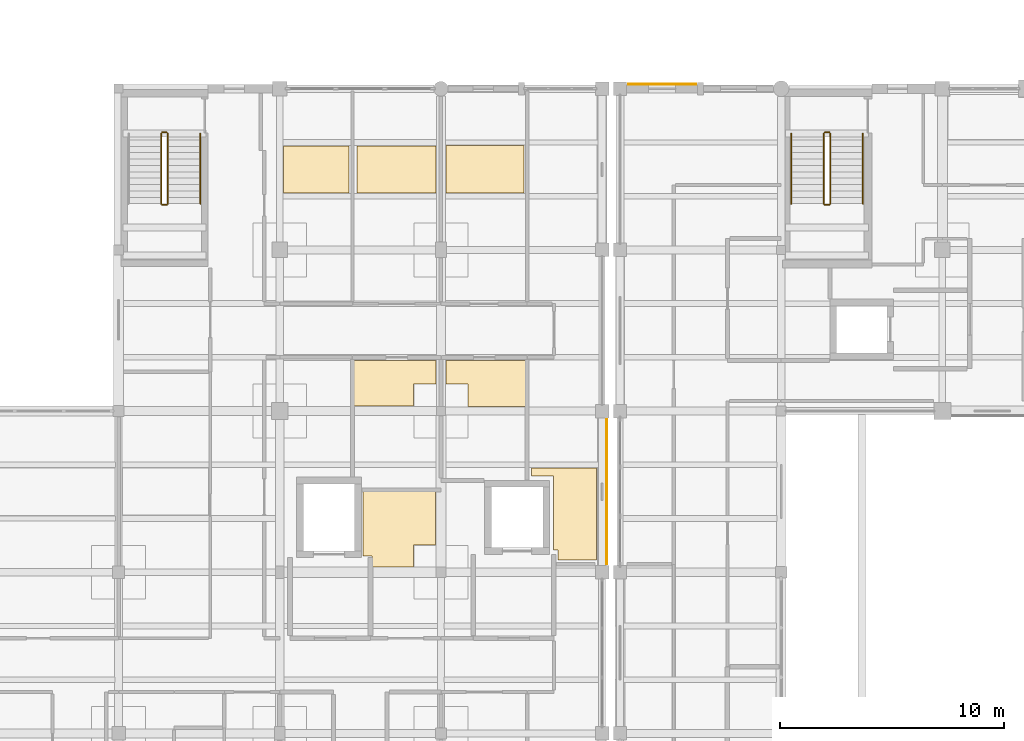
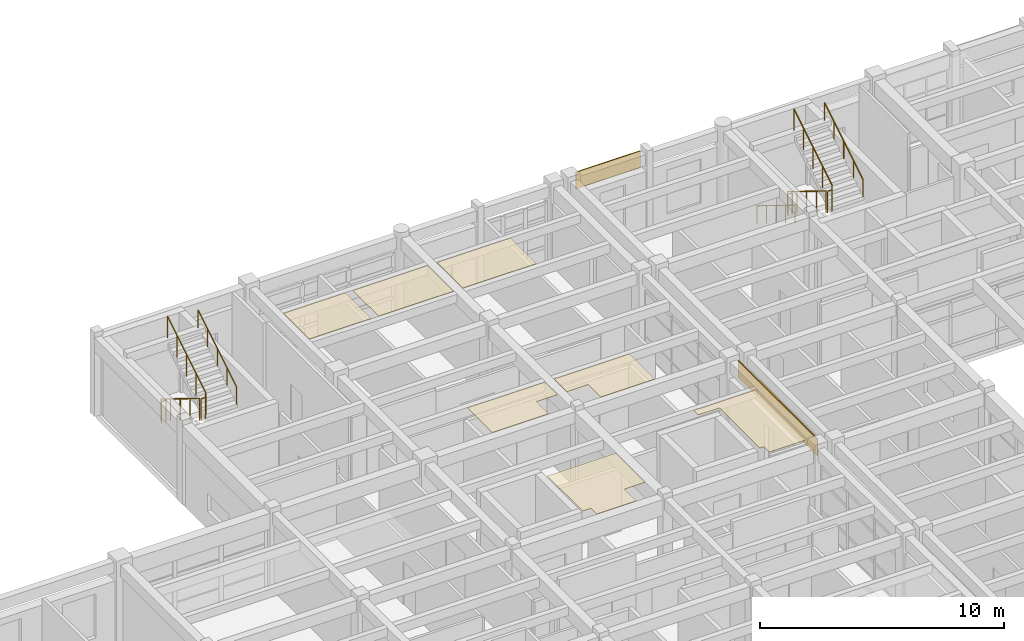
# One storey, part 104 of 110: 11 railings, 9 coverings.
"""IFC4 building model written with IfcOpenShell, lengths in metres."""

from ifc_helpers import new_model, si_unit, direction, frame, origin, origin_2d, place, context, subcontext, project, spatial, polyline, rectangle, circle, outline, extrude, material, layer, layer_set, type_object, element, save


model = new_model("IFC4")

# Units and contexts
model_context = context("Model", 3, precision=1e-05, world=origin(), true_north=direction((0.0, 1.0)))
body_context = subcontext(model_context, "Body", "Model", "MODEL_VIEW")
ifc_project = project(units=[si_unit("LENGTHUNIT", "METRE"), si_unit("AREAUNIT", "SQUARE_METRE"), si_unit("VOLUMEUNIT", "CUBIC_METRE"), si_unit("PLANEANGLEUNIT", "RADIAN"), si_unit("MASSUNIT", "GRAM", prefix="KILO")], contexts=[model_context])

# Site, building, storey
site_placement = place(None, origin())
site = spatial("IfcSite", under=ifc_project, at=site_placement, CompositionType="ELEMENT")
building_placement = place(site_placement, origin())
building = spatial("IfcBuilding", under=site, at=building_placement, Name="Steenspoor Specialist Clinic", CompositionType="ELEMENT")
storey_placement = place(building_placement, frame((0.0, 0.0, 4.800048828125)))
storey = spatial("IfcBuildingStorey", under=building, at=storey_placement, Name="L01", CompositionType="ELEMENT", Elevation=4.800048828125)

# Coverings
ifc_material_1 = material(Name="Washable acoustic mineral ceiling board", Category="gypsum")
ifc_layer_1 = layer(ifc_material_1, 0.02490234375)
ifc_layer_set_1 = layer_set([ifc_layer_1], Name="Washable acoustic mineral ceiling board")
covering_type_1 = type_object("IfcCoveringType", Name="COV-CEIL-ACOUSTIC", PredefinedType="CEILING", material=ifc_layer_set_1)
covering_1_placement = place(storey_placement, frame((0.0, 0.0, 3.925048828125)))
element("IfcCovering", 1, at=covering_1_placement, inside=storey, type_object=covering_type_1, Name="Acoustic Clinical Ceiling 115", PredefinedType="CEILING", context=body_context, shape_type="SweptSolid", body=[
    extrude(outline(polyline([(41.31494140625, 87.465087890625), (40.9150390625, 87.465087890625), (40.9150390625, 90.360107421875), (44.155029296875, 90.360107421875), (44.155029296875, 87.969970703125), (43.179931640625, 87.969970703125), (43.179931640625, 86.9951171875), (41.31494140625, 86.9951171875), (41.31494140625, 87.465087890625)])), origin(), (0.0, 0.0, 1.0), 0.02490234375),
])
covering_2_placement = place(storey_placement, frame((0.0, 0.0, 3.925048828125)))
element("IfcCovering", 2, at=covering_2_placement, inside=storey, type_object=covering_type_1, Name="Acoustic Clinical Ceiling 116", PredefinedType="CEILING", context=body_context, shape_type="SweptSolid", body=[
    extrude(outline(polyline([(48.43994140625, 91.409912109375), (51.340087890625, 91.409912109375), (51.340087890625, 87.2900390625), (49.639892578125, 87.2900390625), (49.639892578125, 87.739990234375), (49.43994140625, 87.739990234375), (49.43994140625, 91.0400390625), (48.43994140625, 91.0400390625), (48.43994140625, 91.409912109375)])), origin(), (0.0, 0.0, 1.0), 0.02490234375),
])
covering_3_placement = place(storey_placement, frame((0.0, 0.0, 3.925048828125)))
element("IfcCovering", 3, at=covering_3_placement, inside=storey, type_object=covering_type_1, Name="Acoustic Clinical Ceiling 117", PredefinedType="CEILING", context=body_context, shape_type="SweptSolid", body=[
    extrude(outline(polyline([(40.514892578125, 96.199951171875), (44.179931640625, 96.199951171875), (44.179931640625, 95.169921875), (43.179931640625, 95.169921875), (43.179931640625, 94.169921875), (40.514892578125, 94.169921875), (40.514892578125, 96.199951171875)])), origin(), (0.0, 0.0, 1.0), 0.02490234375),
])
covering_4_placement = place(storey_placement, frame((0.0, 0.0, 3.925048828125)))
element("IfcCovering", 4, at=covering_4_placement, inside=storey, type_object=covering_type_1, Name="Acoustic Clinical Ceiling 118", PredefinedType="CEILING", context=body_context, shape_type="SweptSolid", body=[
    extrude(outline(polyline([(48.18505859375, 94.14501953125), (45.6201171875, 94.14501953125), (45.6201171875, 95.169921875), (44.6201171875, 95.169921875), (44.6201171875, 96.2099609375), (48.18505859375, 96.2099609375), (48.18505859375, 94.14501953125)])), origin(), (0.0, 0.0, 1.0), 0.02490234375),
])
covering_5_placement = place(storey_placement, frame((0.0, 0.0, 3.925048828125)))
element("IfcCovering", 5, at=covering_5_placement, inside=storey, type_object=covering_type_1, Name="Acoustic Clinical Ceiling 119", PredefinedType="CEILING", context=body_context, shape_type="SweptSolid", body=[
    extrude(outline(polyline([(40.300048828125, 103.68994140625), (37.3701171875, 103.68994140625), (37.3701171875, 105.800048828125), (40.300048828125, 105.800048828125), (40.300048828125, 103.68994140625)])), origin(), (0.0, 0.0, 1.0), 0.02490234375),
])
covering_6_placement = place(storey_placement, frame((0.0, 0.0, 3.925048828125)))
element("IfcCovering", 6, at=covering_6_placement, inside=storey, type_object=covering_type_1, Name="Acoustic Clinical Ceiling 120", PredefinedType="CEILING", context=body_context, shape_type="SweptSolid", body=[
    extrude(outline(polyline([(40.639892578125, 105.800048828125), (44.179931640625, 105.800048828125), (44.179931640625, 103.68994140625), (40.639892578125, 103.68994140625), (40.639892578125, 105.800048828125)])), origin(), (0.0, 0.0, 1.0), 0.02490234375),
])
covering_7_placement = place(storey_placement, frame((0.0, 0.0, 3.925048828125)))
element("IfcCovering", 7, at=covering_7_placement, inside=storey, type_object=covering_type_1, Name="Acoustic Clinical Ceiling 121", PredefinedType="CEILING", context=body_context, shape_type="SweptSolid", body=[
    extrude(outline(polyline([(48.10009765625, 103.699951171875), (44.6201171875, 103.699951171875), (44.6201171875, 105.81005859375), (48.10009765625, 105.81005859375), (48.10009765625, 103.699951171875)])), origin(), (0.0, 0.0, 1.0), 0.02490234375),
])
ifc_material_2 = material(Name="Glazed ceramic relief spandrel cladding", Category="masonry")
ifc_layer_2 = layer(ifc_material_2, 0.034912109375)
ifc_layer_set_2 = layer_set([ifc_layer_2], Name="Glazed ceramic relief spandrel cladding")
covering_type_2 = type_object("IfcCoveringType", Name="COV-CLAD-CERAMIC", PredefinedType="CLADDING", material=ifc_layer_set_2)
covering_8_placement = place(storey_placement, frame((54.280029296875, 108.550048828125, 3.11474609375), z_axis=(0.0, 0.0, 1.0), x_axis=(1.0, 0.0, 0.0)))
element("IfcCovering", 8, at=covering_8_placement, inside=storey, type_object=covering_type_2, Name="Spandrel Cladding 33", PredefinedType="CLADDING", context=body_context, shape_type="SweptSolid", body=[
    extrude(rectangle(XDim=3.0400390625, YDim=0.0400390625, at=origin_2d()), origin(), (0.0, 0.0, 1.0), 0.840087890625),
])
covering_9_placement = place(storey_placement, frame((51.81494140625, 90.35009765625, 3.11474609375), z_axis=(0.0, 0.0, 1.0), x_axis=(0.0, -1.0, 0.0)))
element("IfcCovering", 9, at=covering_9_placement, inside=storey, type_object=covering_type_2, Name="Spandrel Cladding 72", PredefinedType="CLADDING", context=body_context, shape_type="SweptSolid", body=[
    extrude(rectangle(XDim=6.47998046875, YDim=0.0400390625, at=origin_2d()), origin(), (0.0, 0.0, 1.0), 0.840087890625),
])

# Railings
ifc_material_3 = material(Name="Painted architectural steel balustrade", Category="steel")
railing_type_1 = type_object("IfcRailingType", Name="RAIL-GUARD-1100", PredefinedType="GUARDRAIL", material=ifc_material_3)
railing_1_placement = place(storey_placement, frame((61.5, 106.35009765625, 0.175048828125)))
element("IfcRailing", 10, at=railing_1_placement, inside=storey, type_object=railing_type_1, Name="L01 ST-V4A stair guard 1", PredefinedType="GUARDRAIL", context=body_context, shape_type="SweptSolid", body=[
    extrude(circle(Radius=0.02392578125, at=origin_2d()), frame((0.0, 0.0, 1.076171875), z_axis=(0.0, -0.852195625947, 0.523223293744), x_axis=(1.0, 0.0, 0.0)), (0.0, 0.0, 1.0), 3.6787109375),
    extrude(circle(Radius=0.02099609375, at=origin_2d()), origin(), (0.0, 0.0, 1.0), 1.052001953125),
    extrude(circle(Radius=0.02099609375, at=origin_2d()), frame((0.0, -0.78369140625, 0.481201171875)), (0.0, 0.0, 1.0), 1.052001953125),
    extrude(circle(Radius=0.02099609375, at=origin_2d()), frame((0.0, -1.5673828125, 0.96240234375)), (0.0, 0.0, 1.0), 1.052001953125),
    extrude(circle(Radius=0.02099609375, at=origin_2d()), frame((0.0, -2.351318359375, 1.443603515625)), (0.0, 0.0, 1.0), 1.052001953125),
    extrude(circle(Radius=0.02099609375, at=origin_2d()), frame((0.0, -3.135009765625, 1.9248046875)), (0.0, 0.0, 1.0), 1.052001953125),
])
railing_2_placement = place(storey_placement, frame((61.550048828125, 103.1650390625, 2.099853515625)))
element("IfcRailing", 11, at=railing_2_placement, inside=storey, type_object=railing_type_1, Name="L01 ST-V4A stair guard 2", PredefinedType="GUARDRAIL", context=body_context, shape_type="SweptSolid", body=[
    extrude(circle(Radius=0.02392578125, at=origin_2d()), frame((0.0, 0.0, 1.076171875), z_axis=(1.0, 0.0, 0.0), x_axis=(0.0, 1.0, 0.0)), (0.0, 0.0, 1.0), 0.199951171875),
    extrude(circle(Radius=0.02099609375, at=origin_2d()), origin(), (0.0, 0.0, 1.0), 1.052001953125),
    extrude(circle(Radius=0.02099609375, at=origin_2d()), frame((0.199951171875, 0.0, 0.0)), (0.0, 0.0, 1.0), 1.052001953125),
])
railing_3_placement = place(storey_placement, frame((61.800048828125, 103.215087890625, 2.27490234375)))
element("IfcRailing", 12, at=railing_3_placement, inside=storey, type_object=railing_type_1, Name="L01 ST-V4A stair guard 3", PredefinedType="GUARDRAIL", context=body_context, shape_type="SweptSolid", body=[
    extrude(circle(Radius=0.02392578125, at=origin_2d()), frame((0.0, 0.0, 1.076171875), z_axis=(0.0, 0.852166034122, 0.523271488128), x_axis=(-1.0, 0.0, 0.0)), (0.0, 0.0, 1.0), 3.678955078125),
    extrude(circle(Radius=0.02099609375, at=origin_2d()), origin(), (0.0, 0.0, 1.0), 1.052001953125),
    extrude(circle(Radius=0.02099609375, at=origin_2d()), frame((0.0, 0.78369140625, 0.481201171875)), (0.0, 0.0, 1.0), 1.052001953125),
    extrude(circle(Radius=0.02099609375, at=origin_2d()), frame((0.0, 1.5673828125, 0.96240234375)), (0.0, 0.0, 1.0), 1.052001953125),
    extrude(circle(Radius=0.02099609375, at=origin_2d()), frame((0.0, 2.351318359375, 1.44384765625)), (0.0, 0.0, 1.0), 1.052001953125),
    extrude(circle(Radius=0.02099609375, at=origin_2d()), frame((0.0, 3.135009765625, 1.925048828125)), (0.0, 0.0, 1.0), 1.052001953125),
])
railing_4_placement = place(storey_placement, frame((61.550048828125, 106.39990234375, 0.0)))
element("IfcRailing", 13, at=railing_4_placement, inside=storey, type_object=railing_type_1, Name="L01 ST-V4A stair guard 4", PredefinedType="GUARDRAIL", context=body_context, shape_type="SweptSolid", body=[
    extrude(circle(Radius=0.02392578125, at=origin_2d()), frame((0.0, 0.0, 1.076171875), z_axis=(1.0, 0.0, 0.0), x_axis=(0.0, 1.0, 0.0)), (0.0, 0.0, 1.0), 0.199951171875),
    extrude(circle(Radius=0.02099609375, at=origin_2d()), origin(), (0.0, 0.0, 1.0), 1.052001953125),
    extrude(circle(Radius=0.02099609375, at=origin_2d()), frame((0.199951171875, 0.0, 0.0)), (0.0, 0.0, 1.0), 1.052001953125),
])
railing_5_placement = place(storey_placement, frame((31.89990234375, 106.35009765625, 0.175048828125)))
element("IfcRailing", 14, at=railing_5_placement, inside=storey, type_object=railing_type_1, Name="L01 ST-V5A stair guard 1", PredefinedType="GUARDRAIL", context=body_context, shape_type="SweptSolid", body=[
    extrude(circle(Radius=0.02392578125, at=origin_2d()), frame((0.0, 0.0, 1.076171875), z_axis=(0.0, -0.852195625947, 0.523223293744), x_axis=(1.0, 0.0, 0.0)), (0.0, 0.0, 1.0), 3.6787109375),
    extrude(circle(Radius=0.02099609375, at=origin_2d()), origin(), (0.0, 0.0, 1.0), 1.052001953125),
    extrude(circle(Radius=0.02099609375, at=origin_2d()), frame((0.0, -0.78369140625, 0.481201171875)), (0.0, 0.0, 1.0), 1.052001953125),
    extrude(circle(Radius=0.02099609375, at=origin_2d()), frame((0.0, -1.5673828125, 0.96240234375)), (0.0, 0.0, 1.0), 1.052001953125),
    extrude(circle(Radius=0.02099609375, at=origin_2d()), frame((0.0, -2.351318359375, 1.443603515625)), (0.0, 0.0, 1.0), 1.052001953125),
    extrude(circle(Radius=0.02099609375, at=origin_2d()), frame((0.0, -3.135009765625, 1.9248046875)), (0.0, 0.0, 1.0), 1.052001953125),
])
railing_6_placement = place(storey_placement, frame((31.949951171875, 103.1650390625, 2.099853515625)))
element("IfcRailing", 15, at=railing_6_placement, inside=storey, type_object=railing_type_1, Name="L01 ST-V5A stair guard 2", PredefinedType="GUARDRAIL", context=body_context, shape_type="SweptSolid", body=[
    extrude(circle(Radius=0.02392578125, at=origin_2d()), frame((0.0, 0.0, 1.076171875), z_axis=(1.0, 0.0, 0.0), x_axis=(0.0, 1.0, 0.0)), (0.0, 0.0, 1.0), 0.199951171875),
    extrude(circle(Radius=0.02099609375, at=origin_2d()), origin(), (0.0, 0.0, 1.0), 1.052001953125),
    extrude(circle(Radius=0.02099609375, at=origin_2d()), frame((0.199951171875, 0.0, 0.0)), (0.0, 0.0, 1.0), 1.052001953125),
])
railing_7_placement = place(storey_placement, frame((32.199951171875, 103.215087890625, 2.27490234375)))
element("IfcRailing", 16, at=railing_7_placement, inside=storey, type_object=railing_type_1, Name="L01 ST-V5A stair guard 3", PredefinedType="GUARDRAIL", context=body_context, shape_type="SweptSolid", body=[
    extrude(circle(Radius=0.02392578125, at=origin_2d()), frame((0.0, 0.0, 1.076171875), z_axis=(0.0, 0.852166034122, 0.523271488128), x_axis=(-1.0, 0.0, 0.0)), (0.0, 0.0, 1.0), 3.678955078125),
    extrude(circle(Radius=0.02099609375, at=origin_2d()), origin(), (0.0, 0.0, 1.0), 1.052001953125),
    extrude(circle(Radius=0.02099609375, at=origin_2d()), frame((0.0, 0.78369140625, 0.481201171875)), (0.0, 0.0, 1.0), 1.052001953125),
    extrude(circle(Radius=0.02099609375, at=origin_2d()), frame((0.0, 1.5673828125, 0.96240234375)), (0.0, 0.0, 1.0), 1.052001953125),
    extrude(circle(Radius=0.02099609375, at=origin_2d()), frame((0.0, 2.351318359375, 1.44384765625)), (0.0, 0.0, 1.0), 1.052001953125),
    extrude(circle(Radius=0.02099609375, at=origin_2d()), frame((0.0, 3.135009765625, 1.925048828125)), (0.0, 0.0, 1.0), 1.052001953125),
])
railing_8_placement = place(storey_placement, frame((31.949951171875, 106.39990234375, 0.0)))
element("IfcRailing", 17, at=railing_8_placement, inside=storey, type_object=railing_type_1, Name="L01 ST-V5A stair guard 4", PredefinedType="GUARDRAIL", context=body_context, shape_type="SweptSolid", body=[
    extrude(circle(Radius=0.02392578125, at=origin_2d()), frame((0.0, 0.0, 1.076171875), z_axis=(1.0, 0.0, 0.0), x_axis=(0.0, 1.0, 0.0)), (0.0, 0.0, 1.0), 0.199951171875),
    extrude(circle(Radius=0.02099609375, at=origin_2d()), origin(), (0.0, 0.0, 1.0), 1.052001953125),
    extrude(circle(Radius=0.02099609375, at=origin_2d()), frame((0.199951171875, 0.0, 0.0)), (0.0, 0.0, 1.0), 1.052001953125),
])
ifc_material_4 = material(Name="Brushed stainless steel clinical handrail", Category="steel")
railing_type_2 = type_object("IfcRailingType", Name="RAIL-HAND-900", PredefinedType="HANDRAIL", material=ifc_material_4)
railing_9_placement = place(storey_placement, frame((60.050048828125, 106.35009765625, 0.175048828125)))
element("IfcRailing", 18, at=railing_9_placement, inside=storey, type_object=railing_type_2, Name="L01 ST-V4A stair handrail 1", PredefinedType="HANDRAIL", context=body_context, shape_type="SweptSolid", body=[
    extrude(circle(Radius=0.02392578125, at=origin_2d()), frame((0.0, 0.0, 0.8759765625), z_axis=(0.0, -0.852195625947, 0.523223293744), x_axis=(1.0, 0.0, 0.0)), (0.0, 0.0, 1.0), 3.6787109375),
    extrude(circle(Radius=0.02099609375, at=origin_2d()), origin(), (0.0, 0.0, 1.0), 0.851806640625),
    extrude(circle(Radius=0.02099609375, at=origin_2d()), frame((0.0, -0.78369140625, 0.481201171875)), (0.0, 0.0, 1.0), 0.851806640625),
    extrude(circle(Radius=0.02099609375, at=origin_2d()), frame((0.0, -1.5673828125, 0.96240234375)), (0.0, 0.0, 1.0), 0.851806640625),
    extrude(circle(Radius=0.02099609375, at=origin_2d()), frame((0.0, -2.351318359375, 1.443603515625)), (0.0, 0.0, 1.0), 0.851806640625),
    extrude(circle(Radius=0.02099609375, at=origin_2d()), frame((0.0, -3.135009765625, 1.9248046875)), (0.0, 0.0, 1.0), 0.851806640625),
])
for number, where, name in (
    (19, (63.25, 103.215087890625, 2.27490234375), "L01 ST-V4A stair handrail 2"),
    (20, (33.64990234375, 103.215087890625, 2.27490234375), "L01 ST-V5A stair handrail 2"),
):
    element("IfcRailing", number, at=place(storey_placement, frame(where)), inside=storey, type_object=railing_type_2, Name=name, PredefinedType="HANDRAIL", context=body_context, shape_type="SweptSolid", body=[
        extrude(circle(Radius=0.02392578125, at=origin_2d()), frame((0.0, 0.0, 0.8759765625), z_axis=(0.0, 0.852166034122, 0.523271488128), x_axis=(-1.0, 0.0, 0.0)), (0.0, 0.0, 1.0), 3.678955078125),
        extrude(circle(Radius=0.02099609375, at=origin_2d()), origin(), (0.0, 0.0, 1.0), 0.851806640625),
        extrude(circle(Radius=0.02099609375, at=origin_2d()), frame((0.0, 0.78369140625, 0.481201171875)), (0.0, 0.0, 1.0), 0.851806640625),
        extrude(circle(Radius=0.02099609375, at=origin_2d()), frame((0.0, 1.5673828125, 0.96240234375)), (0.0, 0.0, 1.0), 0.851806640625),
        extrude(circle(Radius=0.02099609375, at=origin_2d()), frame((0.0, 2.351318359375, 1.44384765625)), (0.0, 0.0, 1.0), 0.851806640625),
        extrude(circle(Radius=0.02099609375, at=origin_2d()), frame((0.0, 3.135009765625, 1.925048828125)), (0.0, 0.0, 1.0), 0.851806640625),
    ])

save(model, "model.ifc")
